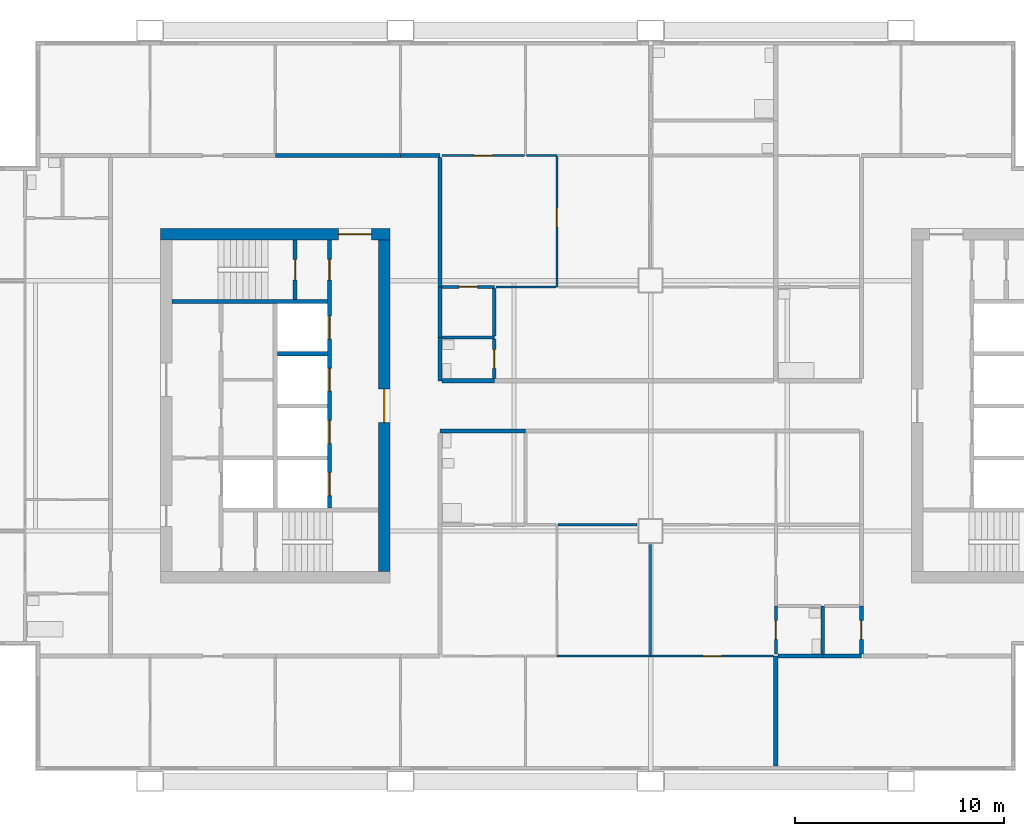
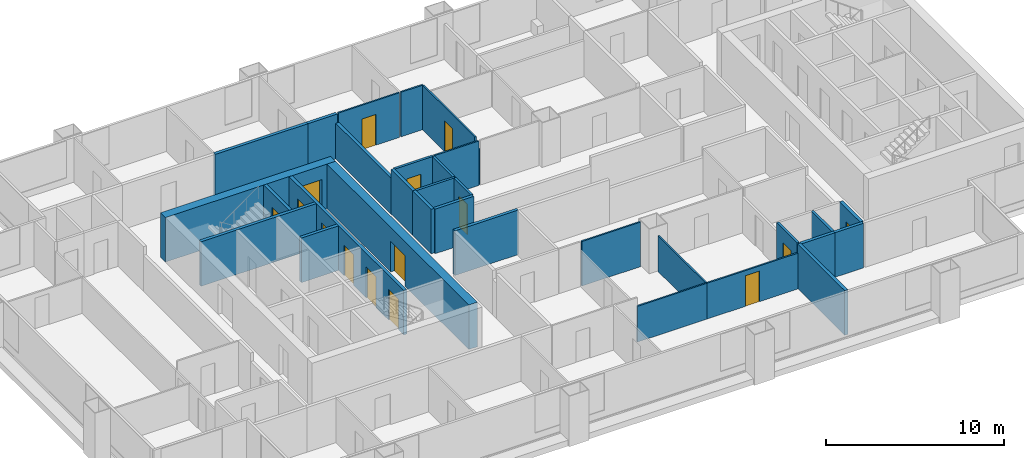
# One storey, part 4 of 9: 32 walls, 15 doors, 15 openings.
"""IFC4 building model written with IfcOpenShell, lengths in metres."""

from ifc_helpers import new_model, si_unit, direction, frame, frame_2d, origin, place, context, subcontext, project, spatial, rectangle, extrude, material, layer, layer_set, type_object, element, fill, save


model = new_model("IFC4")

# Units and contexts
model_context = context("Model", 3, precision=1e-05, world=origin(), true_north=direction((0.0, 1.0)))
body_context = subcontext(model_context, "Body", "Model", "MODEL_VIEW")
ifc_project = project(units=[si_unit("LENGTHUNIT", "METRE"), si_unit("AREAUNIT", "SQUARE_METRE"), si_unit("VOLUMEUNIT", "CUBIC_METRE"), si_unit("PLANEANGLEUNIT", "RADIAN"), si_unit("MASSUNIT", "GRAM", prefix="KILO")], contexts=[model_context])

# Site, building, storey
site_placement = place(None, origin())
site = spatial("IfcSite", under=ifc_project, at=site_placement, CompositionType="ELEMENT")
building_placement = place(site_placement, origin())
building = spatial("IfcBuilding", under=site, at=building_placement, Name="Kitamizu Gate Tower and Museum", CompositionType="ELEMENT")
storey_placement = place(building_placement, frame((0.0, 0.0, 178.949951171875)))
storey = spatial("IfcBuildingStorey", under=building, at=storey_placement, Name="L47", CompositionType="ELEMENT", Elevation=178.949951171875)

# Wall, opening, door
ifc_material_1 = material(Name="Concrete Fc42", Category="concrete")
ifc_layer_1 = layer(ifc_material_1, 0.550048828125)
ifc_layer_set_1 = layer_set([ifc_layer_1], Name="Concrete Fc42")
wall_type_1 = type_object("IfcWallType", Name="Core wall 550", PredefinedType="SHEAR", material=ifc_layer_set_1)
wall_1_placement = place(storey_placement, frame((12.5, 38.22509765625, 0.0), z_axis=(0.0, 0.0, 1.0), x_axis=(1.0, 0.0, 0.0)))
wall_1 = element("IfcWall", 1, at=wall_1_placement, inside=storey, type_object=wall_type_1, Name="Core wall WN", PredefinedType="SHEAR", context=body_context, shape_type="SweptSolid", body=[
    extrude(rectangle(XDim=11.0, YDim=0.550048828125, at=frame_2d((5.5, 0.0))), origin(), (0.0, 0.0, 1.0), 3.050048828125),
])
opening_1_placement = place(wall_1_placement, frame((8.52490234375, 0.0, 0.0)))
opening_1 = element("IfcOpeningElement", 2, at=opening_1_placement, cuts=wall_1, Name="Opening L47-048", PredefinedType="OPENING", context=body_context, shape_type="SweptSolid", body=[
    extrude(rectangle(XDim=1.60009765625, YDim=2.10009765625, at=frame_2d((0.800048828125, 1.050048828125))), frame((0.0, 0.28515625, 0.0), z_axis=(0.0, -1.0, 0.0), x_axis=(1.0, 0.0, 0.0)), (0.0, 0.0, 1.0), 0.570068359375),
])
ifc_material_2 = material(Name="Timber door set", Category="wood")
door_type_1 = type_object("IfcDoorType", Name="Entrance door 1600", OperationType="DOUBLE_DOOR_SINGLE_SWING", PredefinedType="DOOR", material=ifc_material_2)
door_1_placement = place(opening_1_placement, origin())
door_1 = element("IfcDoor", 3, at=door_1_placement, inside=storey, type_object=door_type_1, Name="Lobby door L47-048", OperationType="DOUBLE_DOOR_SINGLE_SWING", OverallHeight=2.10009765625, OverallWidth=1.60009765625, PredefinedType="DOOR", context=body_context, shape_type="SweptSolid", body=[
    extrude(rectangle(XDim=1.60009765625, YDim=2.10009765625, at=frame_2d((0.800048828125, 1.050048828125))), frame((0.0, 0.02490234375, 0.0), z_axis=(0.0, -1.0, 0.0), x_axis=(1.0, 0.0, 0.0)), (0.0, 0.0, 1.0), 0.050048828125),
])
fill(opening_1, door_1)

wall_2_placement = place(storey_placement, frame((23.22509765625, 22.050048828125, 0.0), z_axis=(0.0, 0.0, 1.0), x_axis=(0.0, 1.0, 0.0)))
wall_2 = element("IfcWall", 4, at=wall_2_placement, inside=storey, type_object=wall_type_1, Name="Core wall WARC", PredefinedType="SHEAR", context=body_context, shape_type="SweptSolid", body=[
    extrude(rectangle(XDim=15.89990234375, YDim=0.550048828125, at=frame_2d((7.949951171875, 0.0))), origin(), (0.0, 0.0, 1.0), 3.050048828125),
])
opening_2_placement = place(wall_2_placement, frame((7.14990234375, 0.0, 0.0)))
opening_2 = element("IfcOpeningElement", 5, at=opening_2_placement, cuts=wall_2, Name="Opening L47-049", PredefinedType="OPENING", context=body_context, shape_type="SweptSolid", body=[
    extrude(rectangle(XDim=1.60009765625, YDim=2.10009765625, at=frame_2d((0.800048828125, 1.050048828125))), frame((0.0, 0.28515625, 0.0), z_axis=(0.0, -1.0, 0.0), x_axis=(1.0, 0.0, 0.0)), (0.0, 0.0, 1.0), 0.570068359375),
])
door_2_placement = place(opening_2_placement, origin())
door_2 = element("IfcDoor", 6, at=door_2_placement, inside=storey, type_object=door_type_1, Name="Lobby door L47-049", OperationType="DOUBLE_DOOR_SINGLE_SWING", OverallHeight=2.10009765625, OverallWidth=1.60009765625, PredefinedType="DOOR", context=body_context, shape_type="SweptSolid", body=[
    extrude(rectangle(XDim=1.60009765625, YDim=2.10009765625, at=frame_2d((0.800048828125, 1.050048828125))), frame((0.0, 0.02490234375, 0.0), z_axis=(0.0, -1.0, 0.0), x_axis=(1.0, 0.0, 0.0)), (0.0, 0.0, 1.0), 0.050048828125),
])
fill(opening_2, door_2)

# Wall
ifc_material_3 = material(Name="Gypsum board on galvanised stud")
ifc_layer_2 = layer(ifc_material_3, 0.10009765625)
ifc_layer_set_2 = layer_set([ifc_layer_2], Name="Gypsum board on galvanised stud")
wall_type_2 = type_object("IfcWallType", Name="Partition 100 NOT RATED", PredefinedType="PARTITIONING", material=ifc_layer_set_2)
wall_3_placement = place(storey_placement, frame((36.0, 18.0, 0.0), z_axis=(0.0, 0.0, 1.0), x_axis=(-1.0, 0.0, 0.0)))
element("IfcWall", 7, at=wall_3_placement, inside=storey, type_object=wall_type_2, Name="Partition L47-012", PredefinedType="PARTITIONING", context=body_context, shape_type="SweptSolid", body=[
    extrude(rectangle(XDim=4.5, YDim=0.10009765625, at=frame_2d((2.25, 0.0))), origin(), (0.0, 0.0, 1.0), 2.449951171875),
])

# Wall, opening, door
wall_4_placement = place(storey_placement, frame((41.89990234375, 18.0, 0.0), z_axis=(0.0, 0.0, 1.0), x_axis=(-1.0, 0.0, 0.0)))
wall_4 = element("IfcWall", 8, at=wall_4_placement, inside=storey, type_object=wall_type_2, Name="Partition L47-013", PredefinedType="PARTITIONING", context=body_context, shape_type="SweptSolid", body=[
    extrude(rectangle(XDim=5.89990234375, YDim=0.10009765625, at=frame_2d((2.949951171875, 0.0))), origin(), (0.0, 0.0, 1.0), 2.449951171875),
])
opening_3_placement = place(wall_4_placement, frame((2.5, 0.0, 0.0)))
opening_3 = element("IfcOpeningElement", 9, at=opening_3_placement, cuts=wall_4, Name="Opening L47-008", PredefinedType="OPENING", context=body_context, shape_type="SweptSolid", body=[
    extrude(rectangle(XDim=0.89990234375, YDim=2.10009765625, at=frame_2d((0.449951171875, 1.050048828125))), frame((0.0, 0.06005859375, 0.0), z_axis=(0.0, -1.0, 0.0), x_axis=(1.0, 0.0, 0.0)), (0.0, 0.0, 1.0), 0.1201171875),
])
ifc_material_4 = material(Name="Timber door set", Category="wood")
door_type_2 = type_object("IfcDoorType", Name="Room door 900", OperationType="NOTDEFINED", PredefinedType="DOOR", material=ifc_material_4)
door_3_placement = place(opening_3_placement, frame((0.89990234375, 0.0, 0.0), x_axis=(-1.0, 0.0, 0.0)))
door_3 = element("IfcDoor", 10, at=door_3_placement, inside=storey, type_object=door_type_2, Name="Door L47-008", OperationType="SINGLE_SWING_RIGHT", OverallHeight=2.10009765625, OverallWidth=0.89990234375, PredefinedType="DOOR", context=body_context, shape_type="SweptSolid", body=[
    extrude(rectangle(XDim=0.89990234375, YDim=2.10009765625, at=frame_2d((0.449951171875, 1.050048828125))), frame((0.0, 0.02490234375, 0.0), z_axis=(0.0, -1.0, 0.0), x_axis=(1.0, 0.0, 0.0)), (0.0, 0.0, 1.0), 0.050048828125),
])
fill(opening_3, door_3)

# Walls
wall_5_placement = place(storey_placement, frame((36.0, 18.050048828125, 0.0), z_axis=(0.0, 0.0, 1.0), x_axis=(0.0, 1.0, 0.0)))
element("IfcWall", 11, at=wall_5_placement, inside=storey, type_object=wall_type_2, Name="Partition L47-020", PredefinedType="PARTITIONING", context=body_context, shape_type="SweptSolid", body=[
    extrude(rectangle(XDim=5.300048828125, YDim=0.10009765625, at=frame_2d((2.64990234375, 0.0))), origin(), (0.0, 0.0, 1.0), 2.449951171875),
])
wall_6_placement = place(storey_placement, frame((35.35009765625, 24.300048828125, 0.0), z_axis=(0.0, 0.0, 1.0), x_axis=(-1.0, 0.0, 0.0)))
element("IfcWall", 12, at=wall_6_placement, inside=storey, type_object=wall_type_2, Name="Partition L47-021", PredefinedType="PARTITIONING", context=body_context, shape_type="SweptSolid", body=[
    extrude(rectangle(XDim=3.800048828125, YDim=0.10009765625, at=frame_2d((1.89990234375, 0.0))), origin(), (0.0, 0.0, 1.0), 3.050048828125),
])

# Wall, opening, door
wall_7_placement = place(storey_placement, frame((26.0, 42.0, 0.0), z_axis=(0.0, 0.0, 1.0), x_axis=(1.0, 0.0, 0.0)))
wall_7 = element("IfcWall", 13, at=wall_7_placement, inside=storey, type_object=wall_type_2, Name="Partition L47-050", PredefinedType="PARTITIONING", context=body_context, shape_type="SweptSolid", body=[
    extrude(rectangle(XDim=3.949951171875, YDim=0.10009765625, at=frame_2d((1.97509765625, 0.0))), origin(), (0.0, 0.0, 1.0), 3.050048828125),
])
opening_4_placement = place(wall_7_placement, frame((1.52490234375, 0.0, 0.0)))
opening_4 = element("IfcOpeningElement", 14, at=opening_4_placement, cuts=wall_7, Name="Opening L47-022", PredefinedType="OPENING", context=body_context, shape_type="SweptSolid", body=[
    extrude(rectangle(XDim=0.89990234375, YDim=2.10009765625, at=frame_2d((0.449951171875, 1.050048828125))), frame((0.0, 0.06005859375, 0.0), z_axis=(0.0, -1.0, 0.0), x_axis=(1.0, 0.0, 0.0)), (0.0, 0.0, 1.0), 0.1201171875),
])
door_4_placement = place(opening_4_placement, origin())
door_4 = element("IfcDoor", 15, at=door_4_placement, inside=storey, type_object=door_type_2, Name="Door L47-022", OperationType="SINGLE_SWING_LEFT", OverallHeight=2.10009765625, OverallWidth=0.89990234375, PredefinedType="DOOR", context=body_context, shape_type="SweptSolid", body=[
    extrude(rectangle(XDim=0.89990234375, YDim=2.10009765625, at=frame_2d((0.449951171875, 1.050048828125))), frame((0.0, 0.02490234375, 0.0), z_axis=(0.0, -1.0, 0.0), x_axis=(1.0, 0.0, 0.0)), (0.0, 0.0, 1.0), 0.050048828125),
])
fill(opening_4, door_4)

# Walls
wall_8_placement = place(storey_placement, frame((30.050048828125, 42.0, 0.0), z_axis=(0.0, 0.0, 1.0), x_axis=(1.0, 0.0, 0.0)))
element("IfcWall", 16, at=wall_8_placement, inside=storey, type_object=wall_type_2, Name="Partition L47-054", PredefinedType="PARTITIONING", context=body_context, shape_type="SweptSolid", body=[
    extrude(rectangle(XDim=1.449951171875, YDim=0.10009765625, at=frame_2d((0.72509765625, 0.0))), origin(), (0.0, 0.0, 1.0), 3.050048828125),
])
wall_9_placement = place(storey_placement, frame((31.5, 35.699951171875, 0.0), z_axis=(0.0, 0.0, 1.0), x_axis=(0.0, 1.0, 0.0)))
element("IfcWall", 17, at=wall_9_placement, inside=storey, type_object=wall_type_2, Name="Partition L47-060", PredefinedType="PARTITIONING", context=body_context, shape_type="SweptSolid", body=[
    extrude(rectangle(XDim=0.400146484375, YDim=0.10009765625, at=frame_2d((0.2001953125, 0.0))), origin(), (0.0, 0.0, 1.0), 2.449951171875),
])

# Wall, opening, door
wall_10_placement = place(storey_placement, frame((31.5, 36.10009765625, 0.0), z_axis=(0.0, 0.0, 1.0), x_axis=(0.0, 1.0, 0.0)))
wall_10 = element("IfcWall", 18, at=wall_10_placement, inside=storey, type_object=wall_type_2, Name="Partition L47-061", PredefinedType="PARTITIONING", context=body_context, shape_type="SweptSolid", body=[
    extrude(rectangle(XDim=5.849853515625, YDim=0.10009765625, at=frame_2d((2.9248046875, 0.0))), origin(), (0.0, 0.0, 1.0), 3.050048828125),
])
opening_5_placement = place(wall_10_placement, frame((2.47509765625, 0.0, 0.0)))
opening_5 = element("IfcOpeningElement", 19, at=opening_5_placement, cuts=wall_10, Name="Opening L47-023", PredefinedType="OPENING", context=body_context, shape_type="SweptSolid", body=[
    extrude(rectangle(XDim=0.89990234375, YDim=2.10009765625, at=frame_2d((0.449951171875, 1.050048828125))), frame((0.0, 0.06005859375, 0.0), z_axis=(0.0, -1.0, 0.0), x_axis=(1.0, 0.0, 0.0)), (0.0, 0.0, 1.0), 0.1201171875),
])
door_5_placement = place(opening_5_placement, frame((0.89990234375, 0.0, 0.0), x_axis=(-1.0, 0.0, 0.0)))
door_5 = element("IfcDoor", 20, at=door_5_placement, inside=storey, type_object=door_type_2, Name="Door L47-023", OperationType="SINGLE_SWING_LEFT", OverallHeight=2.10009765625, OverallWidth=0.89990234375, PredefinedType="DOOR", context=body_context, shape_type="SweptSolid", body=[
    extrude(rectangle(XDim=0.89990234375, YDim=2.10009765625, at=frame_2d((0.449951171875, 1.050048828125))), frame((0.0, 0.02490234375, 0.0), z_axis=(0.0, -1.0, 0.0), x_axis=(1.0, 0.0, 0.0)), (0.0, 0.0, 1.0), 0.050048828125),
])
fill(opening_5, door_5)

# Wall
wall_11_placement = place(storey_placement, frame((28.574951171875, 35.699951171875, 0.0), z_axis=(0.0, 0.0, 1.0), x_axis=(1.0, 0.0, 0.0)))
element("IfcWall", 21, at=wall_11_placement, inside=storey, type_object=wall_type_2, Name="Partition L47-063", PredefinedType="PARTITIONING", context=body_context, shape_type="SweptSolid", body=[
    extrude(rectangle(XDim=2.875, YDim=0.10009765625, at=frame_2d((1.4375, 0.0))), origin(), (0.0, 0.0, 1.0), 3.050048828125),
])

# Wall, opening, door
ifc_material_5 = material(Name="Gypsum board on galvanised stud")
ifc_layer_3 = layer(ifc_material_5, 0.14990234375)
ifc_layer_set_3 = layer_set([ifc_layer_3], Name="Gypsum board on galvanised stud")
wall_type_3 = type_object("IfcWallType", Name="Partition 150", PredefinedType="PARTITIONING", material=ifc_layer_set_3)
wall_12_placement = place(storey_placement, frame((42.0, 18.10009765625, 0.0), z_axis=(0.0, 0.0, 1.0), x_axis=(0.0, 1.0, 0.0)))
wall_12 = element("IfcWall", 22, at=wall_12_placement, inside=storey, type_object=wall_type_3, Name="Partition L47-023", PredefinedType="PARTITIONING", context=body_context, shape_type="SweptSolid", body=[
    extrude(rectangle(XDim=2.2998046875, YDim=0.14990234375, at=frame_2d((1.14990234375, 0.0))), origin(), (0.0, 0.0, 1.0), 3.050048828125),
])
opening_6_placement = place(wall_12_placement, frame((0.699951171875, 0.0, 0.0)))
opening_6 = element("IfcOpeningElement", 23, at=opening_6_placement, cuts=wall_12, Name="Opening L47-011", PredefinedType="OPENING", context=body_context, shape_type="SweptSolid", body=[
    extrude(rectangle(XDim=0.89990234375, YDim=2.10009765625, at=frame_2d((0.449951171875, 1.050048828125))), frame((0.0, 0.0849609375, 0.0), z_axis=(0.0, -1.0, 0.0), x_axis=(1.0, 0.0, 0.0)), (0.0, 0.0, 1.0), 0.169921875),
])
ifc_material_6 = material(Name="Timber door set", Category="wood")
door_type_3 = type_object("IfcDoorType", Name="Bathroom door 900", OperationType="NOTDEFINED", PredefinedType="DOOR", material=ifc_material_6)
door_6_placement = place(opening_6_placement, frame((0.89990234375, 0.0, 0.0), x_axis=(-1.0, 0.0, 0.0)))
door_6 = element("IfcDoor", 24, at=door_6_placement, inside=storey, type_object=door_type_3, Name="Bathroom door L47-011", OperationType="SINGLE_SWING_LEFT", OverallHeight=2.10009765625, OverallWidth=0.89990234375, PredefinedType="DOOR", context=body_context, shape_type="SweptSolid", body=[
    extrude(rectangle(XDim=0.89990234375, YDim=2.10009765625, at=frame_2d((0.449951171875, 1.050048828125))), frame((0.0, 0.02490234375, 0.0), z_axis=(0.0, -1.0, 0.0), x_axis=(1.0, 0.0, 0.0)), (0.0, 0.0, 1.0), 0.050048828125),
])
fill(opening_6, door_6)

# Wall
wall_13_placement = place(storey_placement, frame((44.25, 18.10009765625, 0.0), z_axis=(0.0, 0.0, 1.0), x_axis=(0.0, 1.0, 0.0)))
element("IfcWall", 25, at=wall_13_placement, inside=storey, type_object=wall_type_3, Name="Partition L47-031", PredefinedType="PARTITIONING", context=body_context, shape_type="SweptSolid", body=[
    extrude(rectangle(XDim=2.2998046875, YDim=0.14990234375, at=frame_2d((1.14990234375, 0.0))), origin(), (0.0, 0.0, 1.0), 3.050048828125),
])

# Wall, opening, door
wall_14_placement = place(storey_placement, frame((26.0, 35.699951171875, 0.0), z_axis=(0.0, 0.0, 1.0), x_axis=(1.0, 0.0, 0.0)))
wall_14 = element("IfcWall", 26, at=wall_14_placement, inside=storey, type_object=wall_type_3, Name="Partition L47-062", PredefinedType="PARTITIONING", context=body_context, shape_type="SweptSolid", body=[
    extrude(rectangle(XDim=2.5, YDim=0.14990234375, at=frame_2d((1.25, 0.0))), origin(), (0.0, 0.0, 1.0), 3.050048828125),
])
opening_7_placement = place(wall_14_placement, frame((0.800048828125, 0.0, 0.0)))
opening_7 = element("IfcOpeningElement", 27, at=opening_7_placement, cuts=wall_14, Name="Opening L47-025", PredefinedType="OPENING", context=body_context, shape_type="SweptSolid", body=[
    extrude(rectangle(XDim=0.89990234375, YDim=2.10009765625, at=frame_2d((0.449951171875, 1.050048828125))), frame((0.0, 0.0849609375, 0.0), z_axis=(0.0, -1.0, 0.0), x_axis=(1.0, 0.0, 0.0)), (0.0, 0.0, 1.0), 0.169921875),
])
door_7_placement = place(opening_7_placement, frame((0.89990234375, 0.0, 0.0), x_axis=(-1.0, 0.0, 0.0)))
door_7 = element("IfcDoor", 28, at=door_7_placement, inside=storey, type_object=door_type_3, Name="Bathroom door L47-025", OperationType="SINGLE_SWING_LEFT", OverallHeight=2.10009765625, OverallWidth=0.89990234375, PredefinedType="DOOR", context=body_context, shape_type="SweptSolid", body=[
    extrude(rectangle(XDim=0.89990234375, YDim=2.10009765625, at=frame_2d((0.449951171875, 1.050048828125))), frame((0.0, 0.02490234375, 0.0), z_axis=(0.0, -1.0, 0.0), x_axis=(1.0, 0.0, 0.0)), (0.0, 0.0, 1.0), 0.050048828125),
])
fill(opening_7, door_7)

# Wall
wall_15_placement = place(storey_placement, frame((28.5, 33.277099609375, 0.0), z_axis=(0.0, 0.0, 1.0), x_axis=(-1.0, 0.0, 0.0)))
element("IfcWall", 29, at=wall_15_placement, inside=storey, type_object=wall_type_3, Name="Partition L47-070", PredefinedType="PARTITIONING", context=body_context, shape_type="SweptSolid", body=[
    extrude(rectangle(XDim=2.5, YDim=0.14990234375, at=frame_2d((1.25, 0.0))), origin(), (0.0, 0.0, 1.0), 3.050048828125),
])

# Wall, opening, door
wall_16_placement = place(storey_placement, frame((28.5, 31.300048828125, 0.0), z_axis=(0.0, 0.0, 1.0), x_axis=(0.0, 1.0, 0.0)))
wall_16 = element("IfcWall", 30, at=wall_16_placement, inside=storey, type_object=wall_type_3, Name="Partition L47-071", PredefinedType="PARTITIONING", context=body_context, shape_type="SweptSolid", body=[
    extrude(rectangle(XDim=1.90185546875, YDim=0.14990234375, at=frame_2d((0.950927734375, 0.0))), origin(), (0.0, 0.0, 1.0), 3.050048828125),
])
opening_8_placement = place(wall_16_placement, frame((0.5009765625, 0.0, 0.0)))
opening_8 = element("IfcOpeningElement", 31, at=opening_8_placement, cuts=wall_16, Name="Opening L47-027", PredefinedType="OPENING", context=body_context, shape_type="SweptSolid", body=[
    extrude(rectangle(XDim=0.89990234375, YDim=2.10009765625, at=frame_2d((0.449951171875, 1.050048828125))), frame((0.0, 0.0849609375, 0.0), z_axis=(0.0, -1.0, 0.0), x_axis=(1.0, 0.0, 0.0)), (0.0, 0.0, 1.0), 0.169921875),
])
door_8_placement = place(opening_8_placement, origin())
door_8 = element("IfcDoor", 32, at=door_8_placement, inside=storey, type_object=door_type_3, Name="Bathroom door L47-027", OperationType="SINGLE_SWING_RIGHT", OverallHeight=2.10009765625, OverallWidth=0.89990234375, PredefinedType="DOOR", context=body_context, shape_type="SweptSolid", body=[
    extrude(rectangle(XDim=0.89990234375, YDim=2.10009765625, at=frame_2d((0.449951171875, 1.050048828125))), frame((0.0, 0.02490234375, 0.0), z_axis=(0.0, -1.0, 0.0), x_axis=(1.0, 0.0, 0.0)), (0.0, 0.0, 1.0), 0.050048828125),
])
fill(opening_8, door_8)

# Walls
wall_17_placement = place(storey_placement, frame((28.5, 33.35205078125, 0.0), z_axis=(0.0, 0.0, 1.0), x_axis=(0.0, 1.0, 0.0)))
element("IfcWall", 33, at=wall_17_placement, inside=storey, type_object=wall_type_3, Name="Partition L47-074", PredefinedType="PARTITIONING", context=body_context, shape_type="SweptSolid", body=[
    extrude(rectangle(XDim=2.27294921875, YDim=0.14990234375, at=frame_2d((1.136474609375, 0.0))), origin(), (0.0, 0.0, 1.0), 3.050048828125),
])
ifc_material_7 = material(Name="Gypsum board on galvanised stud")
ifc_layer_4 = layer(ifc_material_7, 0.199951171875)
ifc_layer_set_4 = layer_set([ifc_layer_4], Name="Gypsum board on galvanised stud")
wall_type_4 = type_object("IfcWallType", Name="Partition 200", PredefinedType="PARTITIONING", material=ifc_layer_set_4)
wall_18_placement = place(storey_placement, frame((42.0, 12.719970703125, 0.0), z_axis=(0.0, 0.0, 1.0), x_axis=(0.0, 1.0, 0.0)))
element("IfcWall", 34, at=wall_18_placement, inside=storey, type_object=wall_type_4, Name="Partition L47-014", PredefinedType="PARTITIONING", context=body_context, shape_type="SweptSolid", body=[
    extrude(rectangle(XDim=5.280029296875, YDim=0.199951171875, at=frame_2d((2.64013671875, 0.0))), origin(), (0.0, 0.0, 1.0), 3.050048828125),
])
wall_19_placement = place(storey_placement, frame((30.0, 28.800048828125, 0.0), z_axis=(0.0, 0.0, 1.0), x_axis=(-1.0, 0.0, 0.0)))
element("IfcWall", 35, at=wall_19_placement, inside=storey, type_object=wall_type_4, Name="Partition L47-026", PredefinedType="PARTITIONING", context=body_context, shape_type="SweptSolid", body=[
    extrude(rectangle(XDim=4.10009765625, YDim=0.199951171875, at=frame_2d((2.050048828125, 0.0))), origin(), (0.0, 0.0, 1.0), 3.050048828125),
])
wall_20_placement = place(storey_placement, frame((42.10009765625, 18.0, 0.0), z_axis=(0.0, 0.0, 1.0), x_axis=(1.0, 0.0, 0.0)))
element("IfcWall", 36, at=wall_20_placement, inside=storey, type_object=wall_type_4, Name="Partition L47-033", PredefinedType="PARTITIONING", context=body_context, shape_type="SweptSolid", body=[
    extrude(rectangle(XDim=2.14990234375, YDim=0.199951171875, at=frame_2d((1.074951171875, 0.0))), origin(), (0.0, 0.0, 1.0), 3.050048828125),
])
wall_21_placement = place(storey_placement, frame((44.25, 18.0, 0.0), z_axis=(0.0, 0.0, 1.0), x_axis=(1.0, 0.0, 0.0)))
element("IfcWall", 37, at=wall_21_placement, inside=storey, type_object=wall_type_4, Name="Partition L47-035", PredefinedType="PARTITIONING", context=body_context, shape_type="SweptSolid", body=[
    extrude(rectangle(XDim=1.85009765625, YDim=0.199951171875, at=frame_2d((0.925048828125, 0.0))), origin(), (0.0, 0.0, 1.0), 3.050048828125),
])

# Wall, opening, door
wall_22_placement = place(storey_placement, frame((46.10009765625, 18.10009765625, 0.0), z_axis=(0.0, 0.0, 1.0), x_axis=(0.0, 1.0, 0.0)))
wall_22 = element("IfcWall", 38, at=wall_22_placement, inside=storey, type_object=wall_type_4, Name="Partition L47-036", PredefinedType="PARTITIONING", context=body_context, shape_type="SweptSolid", body=[
    extrude(rectangle(XDim=2.2998046875, YDim=0.199951171875, at=frame_2d((1.14990234375, 0.0))), origin(), (0.0, 0.0, 1.0), 3.050048828125),
])
opening_9_placement = place(wall_22_placement, frame((0.699951171875, 0.0, 0.0)))
opening_9 = element("IfcOpeningElement", 39, at=opening_9_placement, cuts=wall_22, Name="Opening L47-014", PredefinedType="OPENING", context=body_context, shape_type="SweptSolid", body=[
    extrude(rectangle(XDim=0.89990234375, YDim=2.10009765625, at=frame_2d((0.449951171875, 1.050048828125))), frame((0.0, 0.10986328125, 0.0), z_axis=(0.0, -1.0, 0.0), x_axis=(1.0, 0.0, 0.0)), (0.0, 0.0, 1.0), 0.219970703125),
])
ifc_material_8 = material(Name="Timber door set", Category="wood")
door_type_4 = type_object("IfcDoorType", Name="Store door 900", OperationType="NOTDEFINED", PredefinedType="DOOR", material=ifc_material_8)
door_9_placement = place(opening_9_placement, origin())
door_9 = element("IfcDoor", 40, at=door_9_placement, inside=storey, type_object=door_type_4, Name="Service entrance door L47-014", OperationType="SINGLE_SWING_LEFT", OverallHeight=2.10009765625, OverallWidth=0.89990234375, PredefinedType="DOOR", context=body_context, shape_type="SweptSolid", body=[
    extrude(rectangle(XDim=0.89990234375, YDim=2.10009765625, at=frame_2d((0.449951171875, 1.050048828125))), frame((0.0, 0.02490234375, 0.0), z_axis=(0.0, -1.0, 0.0), x_axis=(1.0, 0.0, 0.0)), (0.0, 0.0, 1.0), 0.050048828125),
])
fill(opening_9, door_9)

# Walls
wall_23_placement = place(storey_placement, frame((18.0, 42.0, 0.0), z_axis=(0.0, 0.0, 1.0), x_axis=(1.0, 0.0, 0.0)))
element("IfcWall", 41, at=wall_23_placement, inside=storey, type_object=wall_type_4, Name="Partition L47-048", PredefinedType="PARTITIONING", context=body_context, shape_type="SweptSolid", body=[
    extrude(rectangle(XDim=6.0, YDim=0.199951171875, at=frame_2d((3.0, 0.0))), origin(), (0.0, 0.0, 1.0), 3.050048828125),
])
wall_24_placement = place(storey_placement, frame((24.0, 42.0, 0.0), z_axis=(0.0, 0.0, 1.0), x_axis=(1.0, 0.0, 0.0)))
element("IfcWall", 42, at=wall_24_placement, inside=storey, type_object=wall_type_4, Name="Partition L47-051", PredefinedType="PARTITIONING", context=body_context, shape_type="SweptSolid", body=[
    extrude(rectangle(XDim=1.89990234375, YDim=0.199951171875, at=frame_2d((0.949951171875, 0.0))), origin(), (0.0, 0.0, 1.0), 3.050048828125),
])
wall_25_placement = place(storey_placement, frame((25.89990234375, 41.89990234375, 0.0), z_axis=(0.0, 0.0, 1.0), x_axis=(0.0, -1.0, 0.0)))
element("IfcWall", 43, at=wall_25_placement, inside=storey, type_object=wall_type_4, Name="Partition L47-064", PredefinedType="PARTITIONING", context=body_context, shape_type="SweptSolid", body=[
    extrude(rectangle(XDim=6.199951171875, YDim=0.199951171875, at=frame_2d((3.10009765625, 0.0))), origin(), (0.0, 0.0, 1.0), 2.449951171875),
])
wall_26_placement = place(storey_placement, frame((25.89990234375, 33.277099609375, 0.0), z_axis=(0.0, 0.0, 1.0), x_axis=(0.0, -1.0, 0.0)))
element("IfcWall", 44, at=wall_26_placement, inside=storey, type_object=wall_type_4, Name="Partition L47-072", PredefinedType="PARTITIONING", context=body_context, shape_type="SweptSolid", body=[
    extrude(rectangle(XDim=2.0771484375, YDim=0.199951171875, at=frame_2d((1.03857421875, 0.0))), origin(), (0.0, 0.0, 1.0), 3.050048828125),
])
wall_27_placement = place(storey_placement, frame((26.0, 31.199951171875, 0.0), z_axis=(0.0, 0.0, 1.0), x_axis=(1.0, 0.0, 0.0)))
element("IfcWall", 45, at=wall_27_placement, inside=storey, type_object=wall_type_4, Name="Partition L47-073", PredefinedType="PARTITIONING", context=body_context, shape_type="SweptSolid", body=[
    extrude(rectangle(XDim=2.5, YDim=0.199951171875, at=frame_2d((1.25, 0.0))), origin(), (0.0, 0.0, 1.0), 3.050048828125),
])
wall_28_placement = place(storey_placement, frame((25.89990234375, 35.699951171875, 0.0), z_axis=(0.0, 0.0, 1.0), x_axis=(0.0, -1.0, 0.0)))
element("IfcWall", 46, at=wall_28_placement, inside=storey, type_object=wall_type_4, Name="Partition L47-075", PredefinedType="PARTITIONING", context=body_context, shape_type="SweptSolid", body=[
    extrude(rectangle(XDim=2.4228515625, YDim=0.199951171875, at=frame_2d((1.21142578125, 0.0))), origin(), (0.0, 0.0, 1.0), 3.050048828125),
])

# Wall, openings, doors
ifc_material_9 = material(Name="Concrete Fc42", Category="concrete")
ifc_layer_5 = layer(ifc_material_9, 0.199951171875)
ifc_layer_set_5 = layer_set([ifc_layer_5], Name="Concrete Fc42")
wall_type_5 = type_object("IfcWallType", Name="Shaft wall 200", PredefinedType="SOLIDWALL", material=ifc_layer_set_5)
wall_29_placement = place(storey_placement, frame((20.60009765625, 25.10009765625, 0.0), z_axis=(0.0, 0.0, 1.0), x_axis=(0.0, 1.0, 0.0)))
wall_29 = element("IfcWall", 47, at=wall_29_placement, inside=storey, type_object=wall_type_5, Name="Shaft wall WEAST", PredefinedType="SOLIDWALL", context=body_context, shape_type="SweptSolid", body=[
    extrude(rectangle(XDim=12.849853515625, YDim=0.199951171875, at=frame_2d((6.4248046875, 0.0))), origin(), (0.0, 0.0, 1.0), 3.050048828125),
])
opening_10_placement = place(wall_29_placement, frame((0.60009765625, 0.0, 0.0)))
opening_10 = element("IfcOpeningElement", 48, at=opening_10_placement, cuts=wall_29, Name="Opening LD", PredefinedType="OPENING", context=body_context, shape_type="SweptSolid", body=[
    extrude(rectangle(XDim=1.10009765625, YDim=2.10009765625, at=frame_2d((0.550048828125, 1.050048828125))), frame((0.0, 0.10986328125, 0.0), z_axis=(0.0, -1.0, 0.0), x_axis=(1.0, 0.0, 0.0)), (0.0, 0.0, 1.0), 0.219970703125),
])
opening_11_placement = place(wall_29_placement, frame((3.10009765625, 0.0, 0.0)))
opening_11 = element("IfcOpeningElement", 49, at=opening_11_placement, cuts=wall_29, Name="Opening LD", PredefinedType="OPENING", context=body_context, shape_type="SweptSolid", body=[
    extrude(rectangle(XDim=1.10009765625, YDim=2.10009765625, at=frame_2d((0.550048828125, 1.050048828125))), frame((0.0, 0.10986328125, 0.0), z_axis=(0.0, -1.0, 0.0), x_axis=(1.0, 0.0, 0.0)), (0.0, 0.0, 1.0), 0.219970703125),
])
opening_12_placement = place(wall_29_placement, frame((5.60009765625, 0.0, 0.0)))
opening_12 = element("IfcOpeningElement", 50, at=opening_12_placement, cuts=wall_29, Name="Opening LD", PredefinedType="OPENING", context=body_context, shape_type="SweptSolid", body=[
    extrude(rectangle(XDim=1.10009765625, YDim=2.10009765625, at=frame_2d((0.550048828125, 1.050048828125))), frame((0.0, 0.10986328125, 0.0), z_axis=(0.0, -1.0, 0.0), x_axis=(1.0, 0.0, 0.0)), (0.0, 0.0, 1.0), 0.219970703125),
])
opening_13_placement = place(wall_29_placement, frame((8.10009765625, 0.0, 0.0)))
opening_13 = element("IfcOpeningElement", 51, at=opening_13_placement, cuts=wall_29, Name="Opening LD", PredefinedType="OPENING", context=body_context, shape_type="SweptSolid", body=[
    extrude(rectangle(XDim=1.10009765625, YDim=2.10009765625, at=frame_2d((0.550048828125, 1.050048828125))), frame((0.0, 0.10986328125, 0.0), z_axis=(0.0, -1.0, 0.0), x_axis=(1.0, 0.0, 0.0)), (0.0, 0.0, 1.0), 0.219970703125),
])
opening_14_placement = place(wall_29_placement, frame((10.925048828125, 0.0, 0.0)))
opening_14 = element("IfcOpeningElement", 52, at=opening_14_placement, cuts=wall_29, Name="Opening L47-043", PredefinedType="OPENING", context=body_context, shape_type="SweptSolid", body=[
    extrude(rectangle(XDim=1.0, YDim=2.10009765625, at=frame_2d((0.5, 1.050048828125))), frame((0.0, 0.10986328125, 0.0), z_axis=(0.0, -1.0, 0.0), x_axis=(1.0, 0.0, 0.0)), (0.0, 0.0, 1.0), 0.219970703125),
])
ifc_material_10 = material(Name="Hollow metal door set")
door_type_5 = type_object("IfcDoorType", Name="Fire door 1000", OperationType="NOTDEFINED", PredefinedType="DOOR", material=ifc_material_10)
door_10_placement = place(opening_14_placement, origin())
door_10 = element("IfcDoor", 53, at=door_10_placement, inside=storey, type_object=door_type_5, Name="Stair lobby door L47-043", OperationType="SINGLE_SWING_LEFT", OverallHeight=2.10009765625, OverallWidth=1.0, PredefinedType="DOOR", context=body_context, shape_type="SweptSolid", body=[
    extrude(rectangle(XDim=1.0, YDim=2.10009765625, at=frame_2d((0.5, 1.050048828125))), frame((0.0, 0.02490234375, 0.0), z_axis=(0.0, -1.0, 0.0), x_axis=(1.0, 0.0, 0.0)), (0.0, 0.0, 1.0), 0.050048828125),
])
fill(opening_14, door_10)
ifc_material_11 = material(Name="Hollow metal door set")
door_type_6 = type_object("IfcDoorType", Name="Landing door 1100", OperationType="SLIDING_TO_LEFT", PredefinedType="DOOR", material=ifc_material_11)
door_11_placement = place(opening_10_placement, origin())
door_11 = element("IfcDoor", 54, at=door_11_placement, inside=storey, type_object=door_type_6, Name="Landing door WSV1", OperationType="SLIDING_TO_LEFT", OverallHeight=2.10009765625, OverallWidth=1.10009765625, PredefinedType="DOOR", context=body_context, shape_type="SweptSolid", body=[
    extrude(rectangle(XDim=1.10009765625, YDim=2.10009765625, at=frame_2d((0.550048828125, 1.050048828125))), frame((0.0, 0.02490234375, 0.0), z_axis=(0.0, -1.0, 0.0), x_axis=(1.0, 0.0, 0.0)), (0.0, 0.0, 1.0), 0.050048828125),
])
fill(opening_10, door_11)
door_12_placement = place(opening_11_placement, origin())
door_12 = element("IfcDoor", 55, at=door_12_placement, inside=storey, type_object=door_type_6, Name="Landing door WH1", OperationType="SLIDING_TO_LEFT", OverallHeight=2.10009765625, OverallWidth=1.10009765625, PredefinedType="DOOR", context=body_context, shape_type="SweptSolid", body=[
    extrude(rectangle(XDim=1.10009765625, YDim=2.10009765625, at=frame_2d((0.550048828125, 1.050048828125))), frame((0.0, 0.02490234375, 0.0), z_axis=(0.0, -1.0, 0.0), x_axis=(1.0, 0.0, 0.0)), (0.0, 0.0, 1.0), 0.050048828125),
])
fill(opening_11, door_12)
door_13_placement = place(opening_12_placement, origin())
door_13 = element("IfcDoor", 56, at=door_13_placement, inside=storey, type_object=door_type_6, Name="Landing door WH2", OperationType="SLIDING_TO_LEFT", OverallHeight=2.10009765625, OverallWidth=1.10009765625, PredefinedType="DOOR", context=body_context, shape_type="SweptSolid", body=[
    extrude(rectangle(XDim=1.10009765625, YDim=2.10009765625, at=frame_2d((0.550048828125, 1.050048828125))), frame((0.0, 0.02490234375, 0.0), z_axis=(0.0, -1.0, 0.0), x_axis=(1.0, 0.0, 0.0)), (0.0, 0.0, 1.0), 0.050048828125),
])
fill(opening_12, door_13)
door_14_placement = place(opening_13_placement, origin())
door_14 = element("IfcDoor", 57, at=door_14_placement, inside=storey, type_object=door_type_6, Name="Landing door WH3", OperationType="SLIDING_TO_LEFT", OverallHeight=2.10009765625, OverallWidth=1.10009765625, PredefinedType="DOOR", context=body_context, shape_type="SweptSolid", body=[
    extrude(rectangle(XDim=1.10009765625, YDim=2.10009765625, at=frame_2d((0.550048828125, 1.050048828125))), frame((0.0, 0.02490234375, 0.0), z_axis=(0.0, -1.0, 0.0), x_axis=(1.0, 0.0, 0.0)), (0.0, 0.0, 1.0), 0.050048828125),
])
fill(opening_13, door_14)

# Wall
wall_30_placement = place(storey_placement, frame((13.050048828125, 35.0, 0.0), z_axis=(0.0, 0.0, 1.0), x_axis=(1.0, 0.0, 0.0)))
element("IfcWall", 58, at=wall_30_placement, inside=storey, type_object=wall_type_5, Name="Shaft wall WNB", PredefinedType="SOLIDWALL", context=body_context, shape_type="SweptSolid", body=[
    extrude(rectangle(XDim=7.449951171875, YDim=0.199951171875, at=frame_2d((3.72509765625, 0.0))), origin(), (0.0, 0.0, 1.0), 3.050048828125),
])

# Wall, opening, door
wall_31_placement = place(storey_placement, frame((18.949951171875, 35.10009765625, 0.0), z_axis=(0.0, 0.0, 1.0), x_axis=(0.0, 1.0, 0.0)))
wall_31 = element("IfcWall", 59, at=wall_31_placement, inside=storey, type_object=wall_type_5, Name="Shaft wall WNZ", PredefinedType="SOLIDWALL", context=body_context, shape_type="SweptSolid", body=[
    extrude(rectangle(XDim=2.849853515625, YDim=0.199951171875, at=frame_2d((1.4248046875, 0.0))), origin(), (0.0, 0.0, 1.0), 3.050048828125),
])
opening_15_placement = place(wall_31_placement, frame((0.925048828125, 0.0, 0.0)))
opening_15 = element("IfcOpeningElement", 60, at=opening_15_placement, cuts=wall_31, Name="Opening L47-044", PredefinedType="OPENING", context=body_context, shape_type="SweptSolid", body=[
    extrude(rectangle(XDim=1.0, YDim=2.10009765625, at=frame_2d((0.5, 1.050048828125))), frame((0.0, 0.10986328125, 0.0), z_axis=(0.0, -1.0, 0.0), x_axis=(1.0, 0.0, 0.0)), (0.0, 0.0, 1.0), 0.219970703125),
])
door_15_placement = place(opening_15_placement, origin())
door_15 = element("IfcDoor", 61, at=door_15_placement, inside=storey, type_object=door_type_5, Name="Stair door L47-044", OperationType="SINGLE_SWING_RIGHT", OverallHeight=2.10009765625, OverallWidth=1.0, PredefinedType="DOOR", context=body_context, shape_type="SweptSolid", body=[
    extrude(rectangle(XDim=1.0, YDim=2.10009765625, at=frame_2d((0.5, 1.050048828125))), frame((0.0, 0.02490234375, 0.0), z_axis=(0.0, -1.0, 0.0), x_axis=(1.0, 0.0, 0.0)), (0.0, 0.0, 1.0), 0.050048828125),
])
fill(opening_15, door_15)

# Wall
wall_32_placement = place(storey_placement, frame((18.10009765625, 32.5, 0.0), z_axis=(0.0, 0.0, 1.0), x_axis=(1.0, 0.0, 0.0)))
element("IfcWall", 62, at=wall_32_placement, inside=storey, type_object=wall_type_5, Name="Shaft wall WDVE2", PredefinedType="SOLIDWALL", context=body_context, shape_type="SweptSolid", body=[
    extrude(rectangle(XDim=2.39990234375, YDim=0.199951171875, at=frame_2d((1.199951171875, 0.0))), origin(), (0.0, 0.0, 1.0), 3.050048828125),
])

save(model, "model.ifc")
